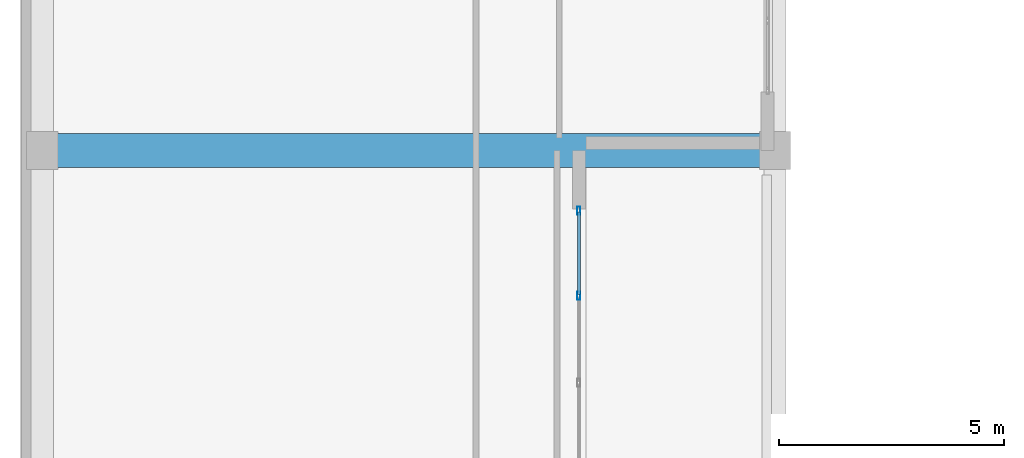
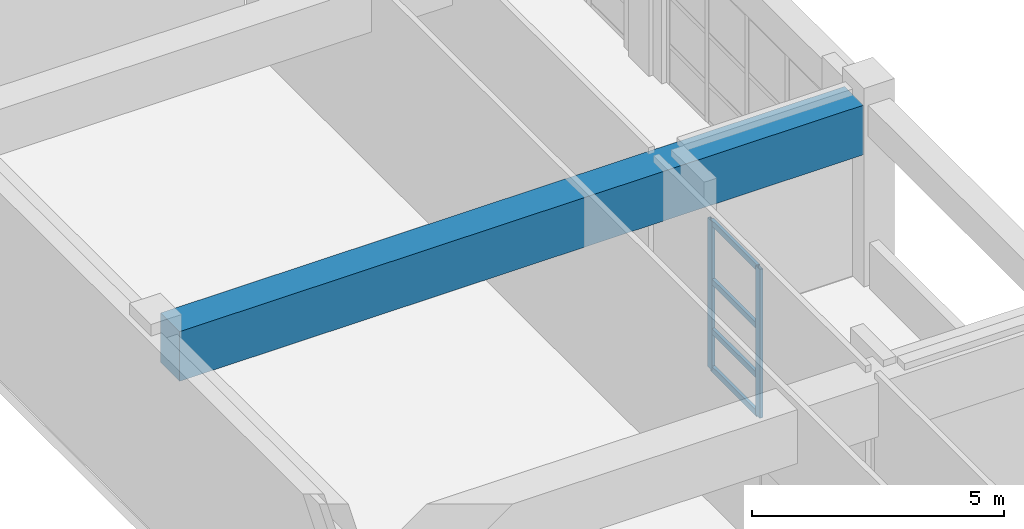
# One storey, part 20 of 123: 6 members, 1 beam, 1 element without a shape of its own.
"""IFC4 building model written with IfcOpenShell, lengths in metres."""

from ifc_helpers import new_model, si_unit, direction, frame, origin, origin_2d, place, context, subcontext, project, spatial, rectangle, hollow_rectangle, extrude, material, layer, layer_set, material_profile, profile_set, type_object, element, aggregate, save


model = new_model("IFC4")

# Units and contexts
model_context = context("Model", 3, precision=1e-05, world=origin(), true_north=direction((0.0, 1.0)))
body_context = subcontext(model_context, "Body", "Model", "MODEL_VIEW")
ifc_project = project(units=[si_unit("LENGTHUNIT", "METRE"), si_unit("AREAUNIT", "SQUARE_METRE"), si_unit("VOLUMEUNIT", "CUBIC_METRE"), si_unit("PLANEANGLEUNIT", "RADIAN"), si_unit("MASSUNIT", "GRAM", prefix="KILO")], contexts=[model_context])

# Site, building, storey
site_placement = place(None, origin())
site = spatial("IfcSite", under=ifc_project, at=site_placement, CompositionType="ELEMENT")
building_placement = place(site_placement, origin())
building = spatial("IfcBuilding", under=site, at=building_placement, Name="Quendrovan Civic Courthouse", CompositionType="ELEMENT")
storey_placement = place(building_placement, frame((0.0, 0.0, 5.39990234375)))
storey = spatial("IfcBuildingStorey", under=building, at=storey_placement, Name="L02", CompositionType="ELEMENT", Elevation=5.39990234375)

# Beam
ifc_material_1 = material(Name="Post-tensioned concrete C50/60", Category="concrete")
ifc_material_profile_1 = material_profile(ifc_material_1, rectangle(XDim=0.75, YDim=1.199951171875, at=origin_2d()), Name="PT-GIRD-750x1200")
ifc_profile_set_1 = profile_set([ifc_material_profile_1], Name="Post-tensioned concrete C50/60")
beam_type = type_object("IfcBeamType", Name="BM-PT1200", PredefinedType="BEAM", material=ifc_profile_set_1)
beam_placement = place(storey_placement, frame((0.830078125, 39.60009765625, 3.760009765625), z_axis=(1.0, 0.0, 0.0), x_axis=(0.0, 1.0, 0.0)))
element("IfcBeam", 1, at=beam_placement, inside=storey, type_object=beam_type, Name="L02 Girder X0524", PredefinedType="BEAM", context=body_context, shape_type="SweptSolid", body=[
    extrude(rectangle(XDim=0.75, YDim=1.199951171875, at=origin_2d()), origin(), (0.0, 0.0, 1.0), 15.639892578125),
])

# Curtain wall, members
ifc_material_2 = material(Name="Bronze anodised aluminium and low-E glass", Category="aluminium")
ifc_layer = layer(ifc_material_2, 0.179931640625, Name="Bronze anodised aluminium and low-E glass")
ifc_layer_set = layer_set([ifc_layer], Name="Bronze anodised aluminium and low-E glass")
curtain_wall_type = type_object("IfcCurtainWallType", Name="CW-U58x36", PredefinedType="USERDEFINED", material=ifc_layer_set)
curtain_wall_placement = place(storey_placement, origin())
curtain_wall = element("IfcCurtainWall", 2, at=curtain_wall_placement, inside=storey, type_object=curtain_wall_type, Name="L02 Unitised Hurricane Curtain Wall CW-076", ObjectType="UNITISED CURTAIN WALL", PredefinedType="USERDEFINED")
ifc_material_3 = material(Name="Bronze anodised aluminium", Category="aluminium")
ifc_material_profile_2 = material_profile(ifc_material_3, hollow_rectangle(XDim=0.070068359375, YDim=0.179931640625, WallThickness=0.00390625, at=origin_2d()), Name="CW-MULL-70x180")
ifc_profile_set_2 = profile_set([ifc_material_profile_2], Name="Bronze anodised aluminium")
member_type_1 = type_object("IfcMemberType", Name="CW-MULL-A", PredefinedType="MULLION", material=ifc_profile_set_2)
member_1_placement = place(storey_placement, frame((12.43505859375, 38.264892578125, 0.0), z_axis=(0.0, 0.0, 1.0), x_axis=(1.0, 0.0, 0.0)))
member_1 = element("IfcMember", 3, at=member_1_placement, type_object=member_type_1, Name="CW-076 mullion 1", PredefinedType="MULLION", context=body_context, shape_type="SweptSolid", body=[
    extrude(hollow_rectangle(XDim=0.070068359375, YDim=0.179931640625, WallThickness=0.00390625, at=origin_2d()), origin(), (0.0, 0.0, 1.0), 3.60009765625),
])
member_2_placement = place(storey_placement, frame((12.43505859375, 36.36669921875, 0.0), z_axis=(0.0, 0.0, 1.0), x_axis=(1.0, 0.0, 0.0)))
member_2 = element("IfcMember", 4, at=member_2_placement, type_object=member_type_1, Name="CW-076 mullion 2", PredefinedType="MULLION", context=body_context, shape_type="SweptSolid", body=[
    extrude(hollow_rectangle(XDim=0.070068359375, YDim=0.179931640625, WallThickness=0.00390625, at=origin_2d()), origin(), (0.0, 0.0, 1.0), 3.60009765625),
])
ifc_material_profile_3 = material_profile(ifc_material_3, hollow_rectangle(XDim=0.070068359375, YDim=0.139892578125, WallThickness=0.00390625, at=origin_2d()), Name="CW-TRAN-70x140")
ifc_profile_set_3 = profile_set([ifc_material_profile_3], Name="Bronze anodised aluminium")
member_type_2 = type_object("IfcMemberType", Name="CW-TRAN-A", PredefinedType="USERDEFINED", material=ifc_profile_set_3)
member_3_placement = place(storey_placement, frame((12.43505859375, 38.22998046875, 0.03515625), z_axis=(0.0, -1.0, 0.0), x_axis=(1.0, 0.0, 0.0)))
member_3 = element("IfcMember", 5, at=member_3_placement, type_object=member_type_2, Name="CW-076 transom 1.1", ObjectType="TRANSOM", PredefinedType="USERDEFINED", context=body_context, shape_type="SweptSolid", body=[
    extrude(hollow_rectangle(XDim=0.070068359375, YDim=0.139892578125, WallThickness=0.00390625, at=origin_2d()), origin(), (0.0, 0.0, 1.0), 1.828369140625),
])
member_4_placement = place(storey_placement, frame((12.43505859375, 38.22998046875, 0.9501953125), z_axis=(0.0, -1.0, 0.0), x_axis=(1.0, 0.0, 0.0)))
member_4 = element("IfcMember", 6, at=member_4_placement, type_object=member_type_2, Name="CW-076 transom 1.2", ObjectType="TRANSOM", PredefinedType="USERDEFINED", context=body_context, shape_type="SweptSolid", body=[
    extrude(hollow_rectangle(XDim=0.070068359375, YDim=0.139892578125, WallThickness=0.00390625, at=origin_2d()), origin(), (0.0, 0.0, 1.0), 1.828369140625),
])
member_5_placement = place(storey_placement, frame((12.43505859375, 38.22998046875, 2.150146484375), z_axis=(0.0, -1.0, 0.0), x_axis=(1.0, 0.0, 0.0)))
member_5 = element("IfcMember", 7, at=member_5_placement, type_object=member_type_2, Name="CW-076 transom 1.3", ObjectType="TRANSOM", PredefinedType="USERDEFINED", context=body_context, shape_type="SweptSolid", body=[
    extrude(hollow_rectangle(XDim=0.070068359375, YDim=0.139892578125, WallThickness=0.00390625, at=origin_2d()), origin(), (0.0, 0.0, 1.0), 1.828369140625),
])
member_6_placement = place(storey_placement, frame((12.43505859375, 38.22998046875, 3.565185546875), z_axis=(0.0, -1.0, 0.0), x_axis=(1.0, 0.0, 0.0)))
member_6 = element("IfcMember", 8, at=member_6_placement, type_object=member_type_2, Name="CW-076 transom 1.4", ObjectType="TRANSOM", PredefinedType="USERDEFINED", context=body_context, shape_type="SweptSolid", body=[
    extrude(hollow_rectangle(XDim=0.070068359375, YDim=0.139892578125, WallThickness=0.00390625, at=origin_2d()), origin(), (0.0, 0.0, 1.0), 1.828369140625),
])
aggregate(curtain_wall, [member_1, member_2, member_3, member_4, member_5, member_6])

save(model, "model.ifc")
